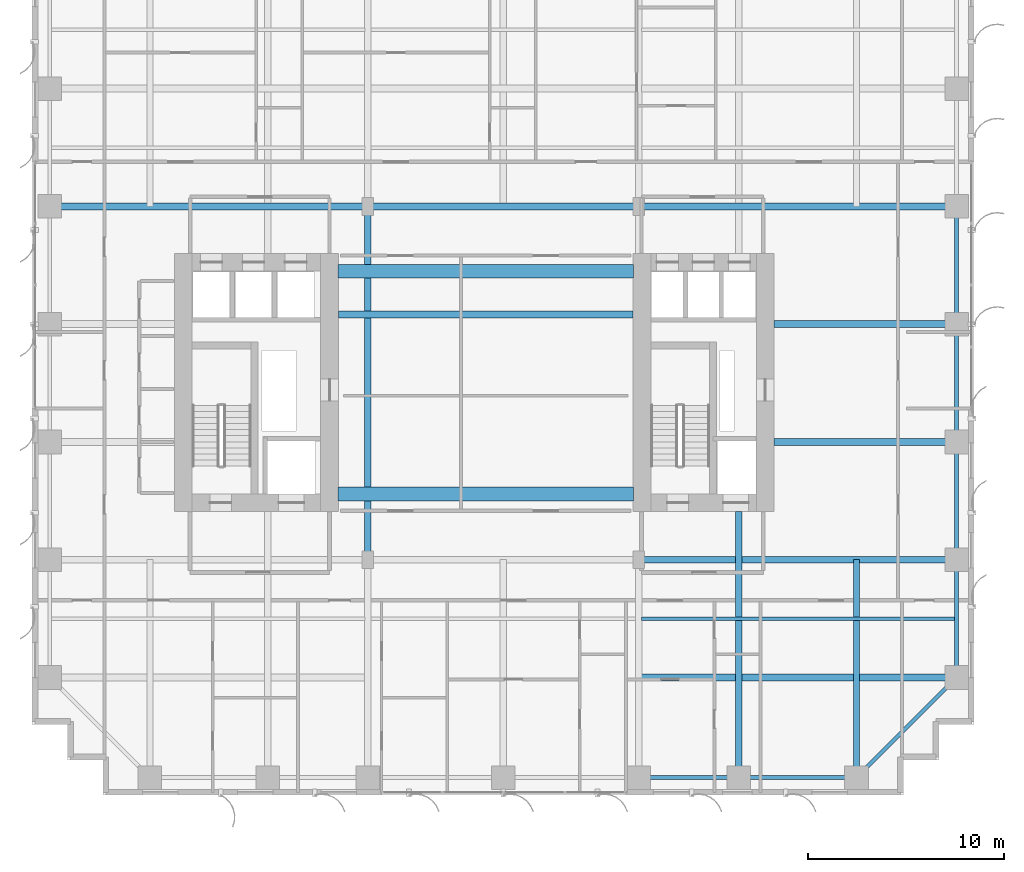
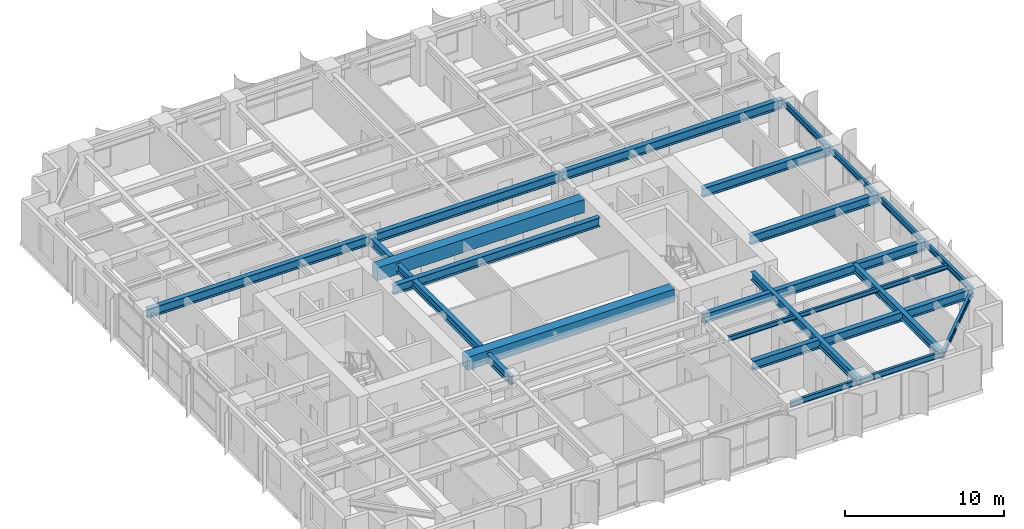
# One storey, part 6 of 23: 21 beams.
"""IFC4 building model written with IfcOpenShell, lengths in metres."""

from ifc_helpers import new_model, si_unit, direction, frame, origin, origin_2d, place, context, subcontext, project, spatial, rectangle, i_section, extrude, source, transform, mapped, material, material_profile, profile_set, type_object, element, save


model = new_model("IFC4")

# Units and contexts
model_context = context("Model", 3, precision=1e-05, world=origin(), true_north=direction((0.0, 1.0)))
body_context = subcontext(model_context, "Body", "Model", "MODEL_VIEW")
ifc_project = project(units=[si_unit("LENGTHUNIT", "METRE"), si_unit("AREAUNIT", "SQUARE_METRE"), si_unit("VOLUMEUNIT", "CUBIC_METRE"), si_unit("PLANEANGLEUNIT", "RADIAN"), si_unit("MASSUNIT", "GRAM", prefix="KILO")], contexts=[model_context])

# Site, building, storey
site_placement = place(None, origin())
site = spatial("IfcSite", under=ifc_project, at=site_placement, CompositionType="ELEMENT")
building_placement = place(site_placement, origin())
building = spatial("IfcBuilding", under=site, at=building_placement, Name="Khoralis Quay Care Tower", CompositionType="ELEMENT")
storey_placement = place(building_placement, frame((0.0, 0.0, 72.89990234375)))
storey = spatial("IfcBuildingStorey", under=building, at=storey_placement, Name="L19", CompositionType="ELEMENT", Elevation=72.89990234375)

# Beams
ifc_material_1 = material(Name="Concrete C80/95", Category="concrete")
ifc_material_profile_1 = material_profile(ifc_material_1, rectangle(XDim=0.699951171875, YDim=1.0, at=origin_2d()), Name="Concrete C80/95")
ifc_profile_set_1 = profile_set([ifc_material_profile_1], Name="Concrete C80/95")
beam_type_1 = type_object("IfcBeamType", Name="CB-RC700X1000", PredefinedType="LINTEL", material=ifc_profile_set_1)
shared_shape_1 = source(origin(), body_context, "Body", "SweptSolid", [
    extrude(rectangle(XDim=0.699951171875, YDim=1.0, at=origin_2d()), origin(), (0.0, 0.0, 1.0), 15.079833984375),
])
for number, where, z_axis, x_axis, name in (
    (1, (15.570068359375, 15.35009765625, 2.940185546875), (1.0, 0.0, 0.0), (0.0, 1.0, 0.0), "L19 South Core Coupling Lintel"),
    (2, (15.570068359375, 26.699951171875, 2.940185546875), (1.0, 0.0, 0.0), (0.0, 1.0, 0.0), "L19 North Core Coupling Lintel"),
):
    element("IfcBeam", number, at=place(storey_placement, frame(where, z_axis=z_axis, x_axis=x_axis)), inside=storey, type_object=beam_type_1, Name=name, PredefinedType="LINTEL", context=body_context, shape_type="MappedRepresentation", body=[
        mapped(shared_shape_1, transform((0.0, 0.0, 0.0), scale=1.0)),
    ])
ifc_material_2 = material(Name="Steel S355", Category="steel")
ifc_material_profile_2 = material_profile(ifc_material_2, i_section(OverallWidth=0.18994140625, OverallDepth=0.449951171875, WebThickness=0.009521484375, FlangeThickness=0.0146484375, FilletRadius=0.02099609375, at=origin_2d()), Name="Steel S355")
ifc_profile_set_2 = profile_set([ifc_material_profile_2], Name="Steel S355")
beam_type_2 = type_object("IfcBeamType", Name="BM-IPE450", PredefinedType="SPANDREL", material=ifc_profile_set_2)
shared_shape_2 = source(origin(), body_context, "Body", "SweptSolid", [
    extrude(i_section(OverallWidth=0.18994140625, OverallDepth=0.449951171875, WebThickness=0.009521484375, FlangeThickness=0.0146484375, FilletRadius=0.02099609375, at=origin_2d()), origin(), (0.0, 0.0, 1.0), 6.0),
])
for number, where, z_axis, x_axis, name in (
    (3, (36.0, 0.89990234375, 3.05517578125), (1.0, 0.0, 0.0), (0.0, 1.0, 0.0), "BM-TSP-L19-06"),
    (4, (47.10009765625, 6.0, 3.05517578125), (0.0, 1.0, 0.0), (-1.0, 0.0, 0.0), "BM-TSP-L19-19"),
    (5, (47.10009765625, 12.0, 3.05517578125), (0.0, 1.0, 0.0), (-1.0, 0.0, 0.0), "BM-TSP-L19-20"),
    (6, (47.10009765625, 18.0, 3.05517578125), (0.0, 1.0, 0.0), (-1.0, 0.0, 0.0), "BM-TSP-L19-21"),
    (7, (47.10009765625, 24.0, 3.05517578125), (0.0, 1.0, 0.0), (-1.0, 0.0, 0.0), "BM-TSP-L19-22"),
):
    element("IfcBeam", number, at=place(storey_placement, frame(where, z_axis=z_axis, x_axis=x_axis)), inside=storey, type_object=beam_type_2, Name=name, PredefinedType="SPANDREL", context=body_context, shape_type="MappedRepresentation", body=[
        mapped(shared_shape_2, transform((0.0, 0.0, 0.0), scale=1.0)),
    ])
shared_shape_3 = source(origin(), body_context, "Body", "SweptSolid", [
    extrude(i_section(OverallWidth=0.18994140625, OverallDepth=0.449951171875, WebThickness=0.009521484375, FlangeThickness=0.0146484375, FilletRadius=0.02099609375, at=origin_2d()), origin(), (0.0, 0.0, 1.0), 5.10009765625),
])
beam_1_placement = place(storey_placement, frame((30.89990234375, 0.89990234375, 3.05517578125), z_axis=(1.0, 0.0, 0.0), x_axis=(0.0, 1.0, 0.0)))
element("IfcBeam", 8, at=beam_1_placement, inside=storey, type_object=beam_type_2, Name="BM-TSP-L19-05", PredefinedType="SPANDREL", context=body_context, shape_type="MappedRepresentation", body=[
    mapped(shared_shape_3, transform((0.0, 0.0, 0.0), scale=1.0)),
])
shared_shape_4 = source(origin(), body_context, "Body", "SweptSolid", [
    extrude(i_section(OverallWidth=0.18994140625, OverallDepth=0.449951171875, WebThickness=0.009521484375, FlangeThickness=0.0146484375, FilletRadius=0.02099609375, at=origin_2d()), origin(), (0.0, 0.0, 1.0), 7.212646484375),
])
beam_2_placement = place(storey_placement, frame((42.0, 0.89990234375, 3.05517578125), z_axis=(0.707106781187, 0.707106781187, 0.0), x_axis=(-0.707106781187, 0.707106781187, 0.0)))
element("IfcBeam", 9, at=beam_2_placement, inside=storey, type_object=beam_type_2, Name="BM-TCR-L19-26", PredefinedType="SPANDREL", context=body_context, shape_type="MappedRepresentation", body=[
    mapped(shared_shape_4, transform((0.0, 0.0, 0.0), scale=1.0)),
])
ifc_material_profile_3 = material_profile(ifc_material_2, i_section(OverallWidth=0.35498046875, OverallDepth=0.695068359375, WebThickness=0.015380859375, FlangeThickness=0.02490234375, FilletRadius=0.02001953125, at=origin_2d()), Name="Steel S355")
ifc_profile_set_3 = profile_set([ifc_material_profile_3], Name="Steel S355")
beam_type_3 = type_object("IfcBeamType", Name="BM-W690X217", PredefinedType="BEAM", material=ifc_profile_set_3)
shared_shape_5 = source(origin(), body_context, "Body", "SweptSolid", [
    extrude(i_section(OverallWidth=0.35498046875, OverallDepth=0.695068359375, WebThickness=0.015380859375, FlangeThickness=0.02490234375, FilletRadius=0.02001953125, at=origin_2d()), origin(), (0.0, 0.0, 1.0), 16.049560546875),
])
beam_3_placement = place(storey_placement, frame((31.050537109375, 6.0, 2.9326171875), z_axis=(1.0, 0.0, 0.0), x_axis=(0.0, 1.0, 0.0)))
element("IfcBeam", 10, at=beam_3_placement, inside=storey, type_object=beam_type_3, Name="BM-TGXE-L19-60", PredefinedType="BEAM", context=body_context, shape_type="MappedRepresentation", body=[
    mapped(shared_shape_5, transform((0.0, 0.0, 0.0), scale=1.0)),
])
shared_shape_6 = source(origin(), body_context, "Body", "SweptSolid", [
    extrude(i_section(OverallWidth=0.35498046875, OverallDepth=0.695068359375, WebThickness=0.015380859375, FlangeThickness=0.02490234375, FilletRadius=0.02001953125, at=origin_2d()), origin(), (0.0, 0.0, 1.0), 16.2001953125),
])
for number, where, z_axis, x_axis, name in (
    (11, (0.89990234375, 30.0, 2.9326171875), (1.0, 0.0, 0.0), (0.0, 1.0, 0.0), "BM-TGXW-L19-300"),
    (12, (30.89990234375, 12.0, 2.9326171875), (1.0, 0.0, 0.0), (0.0, 1.0, 0.0), "BM-TGXE-L19-120"),
    (13, (30.89990234375, 30.0, 2.9326171875), (1.0, 0.0, 0.0), (0.0, 1.0, 0.0), "BM-TGXE-L19-300"),
):
    element("IfcBeam", number, at=place(storey_placement, frame(where, z_axis=z_axis, x_axis=x_axis)), inside=storey, type_object=beam_type_3, Name=name, PredefinedType="BEAM", context=body_context, shape_type="MappedRepresentation", body=[
        mapped(shared_shape_6, transform((0.0, 0.0, 0.0), scale=1.0)),
    ])
shared_shape_7 = source(origin(), body_context, "Body", "SweptSolid", [
    extrude(i_section(OverallWidth=0.35498046875, OverallDepth=0.695068359375, WebThickness=0.015380859375, FlangeThickness=0.02490234375, FilletRadius=0.02001953125, at=origin_2d()), origin(), (0.0, 0.0, 1.0), 9.302001953125),
])
for number, where, z_axis, x_axis, name in (
    (14, (37.798095703125, 18.0, 2.9326171875), (1.0, 0.0, 0.0), (0.0, 1.0, 0.0), "BM-TGXE-L19-180"),
    (15, (37.798095703125, 24.0, 2.9326171875), (1.0, 0.0, 0.0), (0.0, 1.0, 0.0), "BM-TGXE-L19-240"),
):
    element("IfcBeam", number, at=place(storey_placement, frame(where, z_axis=z_axis, x_axis=x_axis)), inside=storey, type_object=beam_type_3, Name=name, PredefinedType="BEAM", context=body_context, shape_type="MappedRepresentation", body=[
        mapped(shared_shape_7, transform((0.0, 0.0, 0.0), scale=1.0)),
    ])
shared_shape_8 = source(origin(), body_context, "Body", "SweptSolid", [
    extrude(i_section(OverallWidth=0.35498046875, OverallDepth=0.695068359375, WebThickness=0.015380859375, FlangeThickness=0.02490234375, FilletRadius=0.02001953125, at=origin_2d()), origin(), (0.0, 0.0, 1.0), 13.7998046875),
])
beam_4_placement = place(storey_placement, frame((17.10009765625, 30.0, 2.9326171875), z_axis=(1.0, 0.0, 0.0), x_axis=(0.0, 1.0, 0.0)))
element("IfcBeam", 16, at=beam_4_placement, inside=storey, type_object=beam_type_3, Name="BM-TGCC-L19-300", PredefinedType="BEAM", context=body_context, shape_type="MappedRepresentation", body=[
    mapped(shared_shape_8, transform((0.0, 0.0, 0.0), scale=1.0)),
])
shared_shape_9 = source(origin(), body_context, "Body", "SweptSolid", [
    extrude(i_section(OverallWidth=0.35498046875, OverallDepth=0.695068359375, WebThickness=0.015380859375, FlangeThickness=0.02490234375, FilletRadius=0.02001953125, at=origin_2d()), origin(), (0.0, 0.0, 1.0), 15.024169921875),
])
beam_5_placement = place(storey_placement, frame((15.597900390625, 24.5, 2.9326171875), z_axis=(1.0, 0.0, 0.0), x_axis=(0.0, 1.0, 0.0)))
element("IfcBeam", 17, at=beam_5_placement, inside=storey, type_object=beam_type_3, Name="BM-TGCC-L19-245", PredefinedType="BEAM", context=body_context, shape_type="MappedRepresentation", body=[
    mapped(shared_shape_9, transform((0.0, 0.0, 0.0), scale=1.0)),
])
ifc_material_profile_4 = material_profile(ifc_material_2, i_section(OverallWidth=0.324951171875, OverallDepth=0.615966796875, WebThickness=0.013916015625, FlangeThickness=0.021484375, FilletRadius=0.01806640625, at=origin_2d()), Name="Steel S355")
ifc_profile_set_4 = profile_set([ifc_material_profile_4], Name="Steel S355")
beam_type_4 = type_object("IfcBeamType", Name="BM-W610X174", PredefinedType="BEAM", material=ifc_profile_set_4)
shared_shape_10 = source(origin(), body_context, "Body", "SweptSolid", [
    extrude(i_section(OverallWidth=0.324951171875, OverallDepth=0.615966796875, WebThickness=0.013916015625, FlangeThickness=0.021484375, FilletRadius=0.01806640625, at=origin_2d()), origin(), (0.0, 0.0, 1.0), 11.10009765625),
])
beam_6_placement = place(storey_placement, frame((42.0, 0.89990234375, 2.97216796875), z_axis=(0.0, 1.0, 0.0), x_axis=(-1.0, 0.0, 0.0)))
element("IfcBeam", 18, at=beam_6_placement, inside=storey, type_object=beam_type_4, Name="BM-TGYS-L19-420", PredefinedType="BEAM", context=body_context, shape_type="MappedRepresentation", body=[
    mapped(shared_shape_10, transform((0.0, 0.0, 0.0), scale=1.0)),
])
shared_shape_11 = source(origin(), body_context, "Body", "SweptSolid", [
    extrude(i_section(OverallWidth=0.324951171875, OverallDepth=0.615966796875, WebThickness=0.013916015625, FlangeThickness=0.021484375, FilletRadius=0.01806640625, at=origin_2d()), origin(), (0.0, 0.0, 1.0), 13.552001953125),
])
beam_7_placement = place(storey_placement, frame((36.0, 0.89990234375, 2.97216796875), z_axis=(0.0, 1.0, 0.0), x_axis=(-1.0, 0.0, 0.0)))
element("IfcBeam", 19, at=beam_7_placement, inside=storey, type_object=beam_type_4, Name="BM-TGYS-L19-360", PredefinedType="BEAM", context=body_context, shape_type="MappedRepresentation", body=[
    mapped(shared_shape_11, transform((0.0, 0.0, 0.0), scale=1.0)),
])
shared_shape_12 = source(origin(), body_context, "Body", "SweptSolid", [
    extrude(i_section(OverallWidth=0.324951171875, OverallDepth=0.615966796875, WebThickness=0.013916015625, FlangeThickness=0.021484375, FilletRadius=0.01806640625, at=origin_2d()), origin(), (0.0, 0.0, 1.0), 18.0),
])
beam_8_placement = place(storey_placement, frame((17.10009765625, 12.0, 2.97216796875), z_axis=(0.0, 1.0, 0.0), x_axis=(-1.0, 0.0, 0.0)))
element("IfcBeam", 20, at=beam_8_placement, inside=storey, type_object=beam_type_4, Name="BM-TGSW-L19", PredefinedType="BEAM", context=body_context, shape_type="MappedRepresentation", body=[
    mapped(shared_shape_12, transform((0.0, 0.0, 0.0), scale=1.0)),
])
ifc_material_profile_5 = material_profile(ifc_material_2, i_section(OverallWidth=0.1708984375, OverallDepth=0.35498046875, WebThickness=0.007080078125, FlangeThickness=0.01171875, FilletRadius=0.012939453125, at=origin_2d()), Name="Steel S355")
ifc_profile_set_5 = profile_set([ifc_material_profile_5], Name="Steel S355")
beam_type_5 = type_object("IfcBeamType", Name="BM-W360X51", PredefinedType="JOIST", material=ifc_profile_set_5)
shared_shape_13 = source(origin(), body_context, "Body", "SweptSolid", [
    extrude(i_section(OverallWidth=0.1708984375, OverallDepth=0.35498046875, WebThickness=0.007080078125, FlangeThickness=0.01171875, FilletRadius=0.012939453125, at=origin_2d()), origin(), (0.0, 0.0, 1.0), 15.968505859375),
])
beam_9_placement = place(storey_placement, frame((31.050537109375, 9.0, 3.1025390625), z_axis=(1.0, 0.0, 0.0), x_axis=(0.0, 1.0, 0.0)))
element("IfcBeam", 21, at=beam_9_placement, inside=storey, type_object=beam_type_5, Name="BM-TJS-L19-30", PredefinedType="JOIST", context=body_context, shape_type="MappedRepresentation", body=[
    mapped(shared_shape_13, transform((0.0, 0.0, 0.0), scale=1.0)),
])

save(model, "model.ifc")
